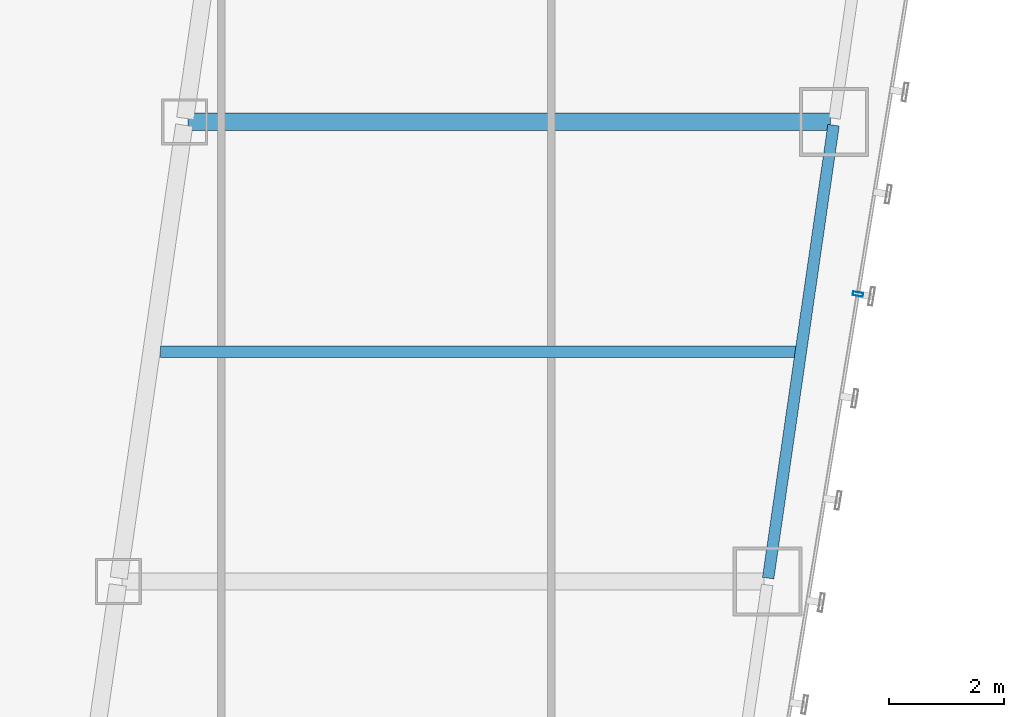
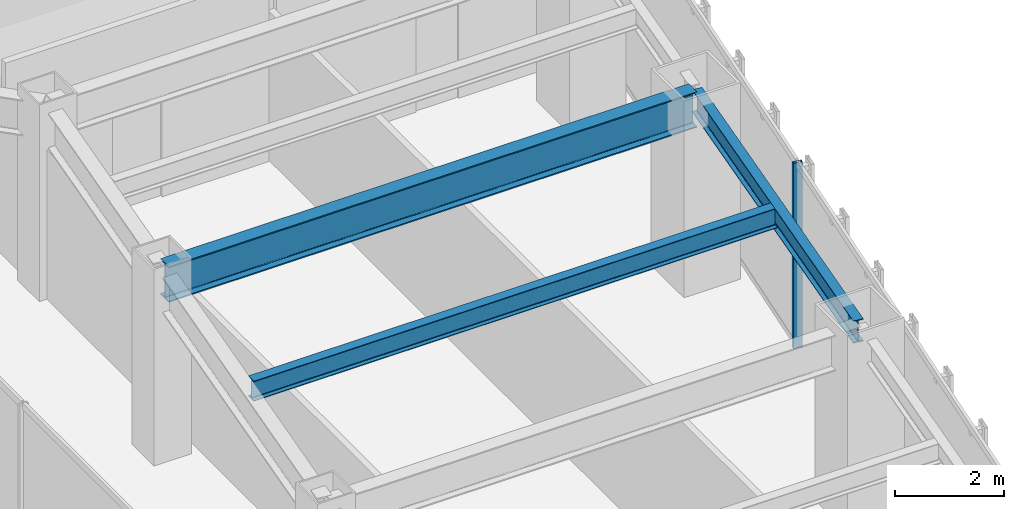
# One storey, part 21 of 49: 3 beams, 1 member, 1 element without a shape of its own.
"""IFC4 building model written with IfcOpenShell, lengths in metres."""

from ifc_helpers import new_model, si_unit, direction, frame, origin, origin_2d, place, context, subcontext, project, spatial, hollow_rectangle, i_section, extrude, material, material_profile, profile_set, type_object, element, aggregate, save


model = new_model("IFC4")

# Units and contexts
model_context = context("Model", 3, precision=1e-05, world=origin(), true_north=direction((0.0, 1.0)))
body_context = subcontext(model_context, "Body", "Model", "MODEL_VIEW")
ifc_project = project(units=[si_unit("LENGTHUNIT", "METRE"), si_unit("AREAUNIT", "SQUARE_METRE"), si_unit("VOLUMEUNIT", "CUBIC_METRE"), si_unit("PLANEANGLEUNIT", "RADIAN"), si_unit("MASSUNIT", "GRAM", prefix="KILO")], contexts=[model_context])

# Site, building, storey
site_placement = place(None, origin())
site = spatial("IfcSite", under=ifc_project, at=site_placement, CompositionType="ELEMENT")
building_placement = place(site_placement, origin())
building = spatial("IfcBuilding", under=site, at=building_placement, Name="Saevonmaru Cultural Tower", CompositionType="ELEMENT")
storey_placement = place(building_placement, frame((0.0, 0.0, 73.60009765625)))
storey = spatial("IfcBuildingStorey", under=building, at=storey_placement, Name="L15", CompositionType="ELEMENT", Elevation=73.60009765625)

# Beams
ifc_material_1 = material(Name="Steel SM420", Category="steel")
ifc_material_profile_1 = material_profile(ifc_material_1, i_section(OverallWidth=0.300048828125, OverallDepth=0.800048828125, WebThickness=0.013916015625, FlangeThickness=0.02587890625, FilletRadius=0.028076171875, at=origin_2d()), Name="H-800x300x14x26")
ifc_profile_set_1 = profile_set([ifc_material_profile_1], Name="Steel SM420")
beam_type_1 = type_object("IfcBeamType", Name="BM-G-H800", PredefinedType="BEAM", material=ifc_profile_set_1)
beam_1_placement = place(storey_placement, frame((40.443115234375, 32.0, 3.75), z_axis=(1.0, 0.0, 0.0), x_axis=(0.0, 1.0, 0.0)))
element("IfcBeam", 1, at=beam_1_placement, inside=storey, type_object=beam_type_1, Name="L15 East Wing Transverse Girder 5", PredefinedType="BEAM", context=body_context, shape_type="SweptSolid", body=[
    extrude(i_section(OverallWidth=0.300048828125, OverallDepth=0.800048828125, WebThickness=0.013916015625, FlangeThickness=0.02587890625, FilletRadius=0.028076171875, at=origin_2d()), origin(), (0.0, 0.0, 1.0), 11.179931640625),
])
ifc_material_2 = material(Name="Steel SM355", Category="steel")
ifc_material_profile_2 = material_profile(ifc_material_2, i_section(OverallWidth=0.199951171875, OverallDepth=0.449951171875, WebThickness=0.009033203125, FlangeThickness=0.013916015625, FilletRadius=0.01806640625, at=origin_2d()), Name="H-450x200x9x14")
ifc_profile_set_2 = profile_set([ifc_material_profile_2], Name="Steel SM355")
beam_type_2 = type_object("IfcBeamType", Name="BM-J-H450", PredefinedType="JOIST", material=ifc_profile_set_2)
beam_2_placement = place(storey_placement, frame((39.96337890625, 28.0, 3.9248046875), z_axis=(1.0, 0.0, 0.0), x_axis=(0.0, 1.0, 0.0)))
element("IfcBeam", 2, at=beam_2_placement, inside=storey, type_object=beam_type_2, Name="L15 East Wing Floor Joist 4", PredefinedType="JOIST", context=body_context, shape_type="SweptSolid", body=[
    extrude(i_section(OverallWidth=0.199951171875, OverallDepth=0.449951171875, WebThickness=0.009033203125, FlangeThickness=0.013916015625, FilletRadius=0.01806640625, at=origin_2d()), origin(), (0.0, 0.0, 1.0), 11.08203125),
])
ifc_material_profile_3 = material_profile(ifc_material_2, i_section(OverallWidth=0.199951171875, OverallDepth=0.5, WebThickness=0.010009765625, FlangeThickness=0.01611328125, FilletRadius=0.02001953125, at=origin_2d()), Name="H-500x200x10x16")
ifc_profile_set_3 = profile_set([ifc_material_profile_3], Name="Steel SM355")
beam_type_3 = type_object("IfcBeamType", Name="BM-SP-H500", PredefinedType="SPANDREL", material=ifc_profile_set_3)
beam_3_placement = place(storey_placement, frame((50.53662109375, 24.059326171875, 3.89990234375), z_axis=(0.142871999001, 0.989741174197, 0.0), x_axis=(-0.989741174197, 0.142871999001, 0.0)))
element("IfcBeam", 3, at=beam_3_placement, inside=storey, type_object=beam_type_3, Name="L15 East Splayed Spandrel 4", PredefinedType="SPANDREL", context=body_context, shape_type="SweptSolid", body=[
    extrude(i_section(OverallWidth=0.199951171875, OverallDepth=0.5, WebThickness=0.010009765625, FlangeThickness=0.01611328125, FilletRadius=0.02001953125, at=origin_2d()), origin(), (0.0, 0.0, 1.0), 7.963134765625),
])

# Curtain wall, member
ifc_material_3 = material(Name="Satin Bronze Anodised Aluminium", Category="aluminium")
curtain_wall_type = type_object("IfcCurtainWallType", Name="CW-TYP-A", PredefinedType="NOTDEFINED", material=ifc_material_3)
curtain_wall_placement = place(storey_placement, origin())
curtain_wall = element("IfcCurtainWall", 4, at=curtain_wall_placement, inside=storey, type_object=curtain_wall_type, Name="L15 Unitised Curtain Wall E8", PredefinedType="NOTDEFINED")
ifc_material_profile_4 = material_profile(ifc_material_3, hollow_rectangle(XDim=0.06494140625, YDim=0.179931640625, WallThickness=0.00390625, at=origin_2d()), Name="ALU-MULL-180x65x4")
ifc_profile_set_4 = profile_set([ifc_material_profile_4], Name="Satin Bronze Anodised Aluminium")
member_type = type_object("IfcMemberType", Name="ML-CW-180x65", PredefinedType="MULLION", material=ifc_profile_set_4)
member_placement = place(storey_placement, frame((52.10009765625, 29.0, 0.0), z_axis=(0.0, 0.0, 1.0), x_axis=(0.161708868641, 0.986838508472, 0.0)))
member = element("IfcMember", 5, at=member_placement, type_object=member_type, Name="CW-TW-L15-E8 mullion 3", PredefinedType="MULLION", context=body_context, shape_type="SweptSolid", body=[
    extrude(hollow_rectangle(XDim=0.06494140625, YDim=0.179931640625, WallThickness=0.00390625, at=origin_2d()), origin(), (0.0, 0.0, 1.0), 4.14990234375),
])
aggregate(curtain_wall, [member])

save(model, "model.ifc")
